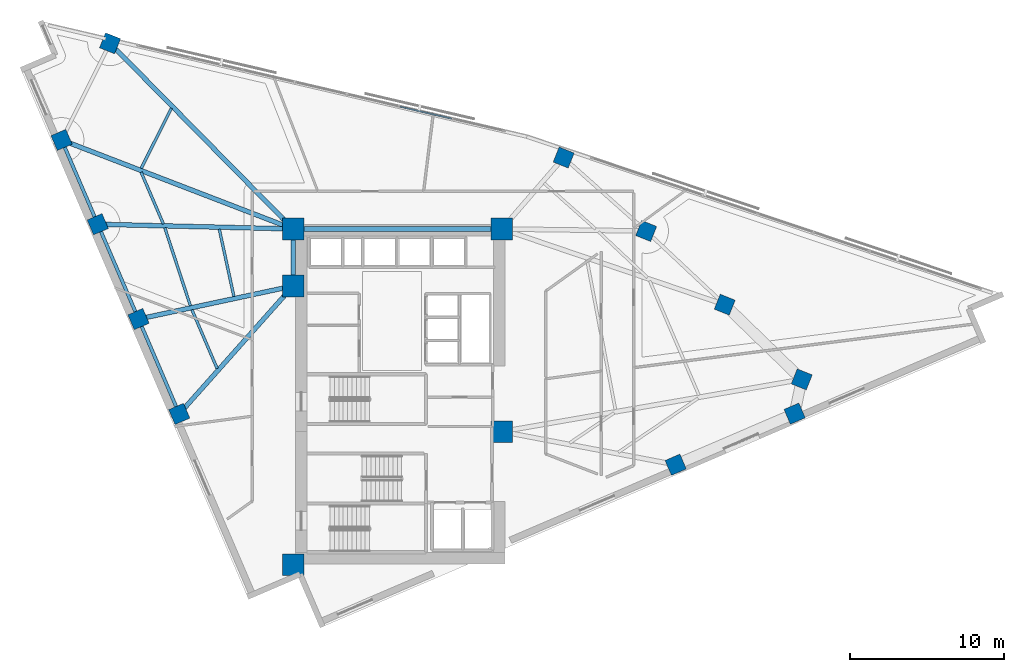
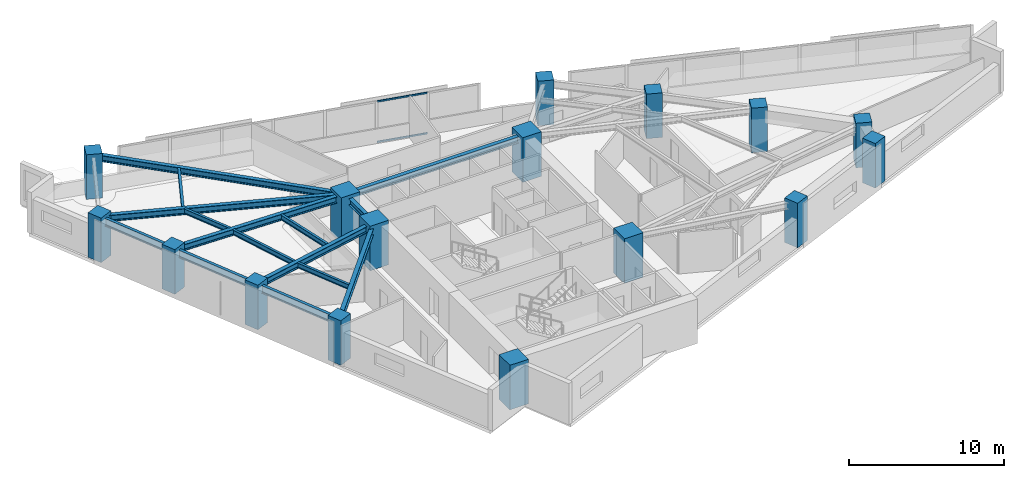
# One storey, part 1 of 14: 16 columns, 15 beams, 2 members, 1 element without a shape of its own.
"""IFC4 building model written with IfcOpenShell, lengths in metres."""

from ifc_helpers import new_model, si_unit, direction, frame, origin, origin_2d, place, context, subcontext, project, spatial, rectangle, hollow_rectangle, i_section, extrude, material, material_profile, profile_set, type_object, element, aggregate, save


model = new_model("IFC4")

# Units and contexts
model_context = context("Model", 3, precision=1e-05, world=origin(), true_north=direction((0.0, 1.0)))
body_context = subcontext(model_context, "Body", "Model", "MODEL_VIEW")
ifc_project = project(units=[si_unit("LENGTHUNIT", "METRE"), si_unit("AREAUNIT", "SQUARE_METRE"), si_unit("VOLUMEUNIT", "CUBIC_METRE"), si_unit("PLANEANGLEUNIT", "RADIAN"), si_unit("MASSUNIT", "GRAM", prefix="KILO")], contexts=[model_context])

# Site, building, storey
site_placement = place(None, origin())
site = spatial("IfcSite", under=ifc_project, at=site_placement, CompositionType="ELEMENT")
building_placement = place(site_placement, origin())
building = spatial("IfcBuilding", under=site, at=building_placement, Name="Narakoshi Arena Tower", CompositionType="ELEMENT")
storey_placement = place(building_placement, frame((0.0, 0.0, 189.659912109375)))
storey = spatial("IfcBuildingStorey", under=building, at=storey_placement, Name="L51", CompositionType="ELEMENT", Elevation=189.659912109375)

# Columns
ifc_material_1 = material(Name="Concrete C50/60", Category="concrete")
ifc_material_profile_1 = material_profile(ifc_material_1, rectangle(XDim=1.050048828125, YDim=1.050048828125, at=origin_2d()), Name="RC1050x1050")
ifc_profile_set_1 = profile_set([ifc_material_profile_1], Name="Concrete C50/60")
column_type_1 = type_object("IfcColumnType", Name="COL-RC1050", PredefinedType="COLUMN", material=ifc_profile_set_1)
for number, where, z_axis, x_axis, name in (
    (1, (96.830078125, 41.2001953125, 0.0), (0.0, 0.0, 1.0), (0.918791210149, 0.394743856384, 0.0), "L51 Tower Perimeter Column TC02"),
    (2, (104.54931640625, 44.5166015625, 0.0), (0.0, 0.0, 1.0), (0.918791210149, 0.394743856384, 0.0), "L51 Tower Perimeter Column TC03"),
    (3, (105.010009765625, 46.73876953125, 0.0), (0.0, 0.0, 1.0), (0.37055743751, 0.928809552872, 0.0), "L51 Tower Perimeter Column TC05"),
    (4, (100.012939453125, 51.58544921875, 0.0), (0.0, 0.0, 1.0), (0.37055743751, 0.928809552872, 0.0), "L51 Tower Perimeter Column TC06"),
    (5, (94.914794921875, 56.36669921875, 0.0), (0.0, 0.0, 1.0), (0.37055743751, 0.928809552872, 0.0), "L51 Tower Perimeter Column TC07"),
    (6, (89.5615234375, 61.134765625, 0.0), (0.0, 0.0, 1.0), (0.37055743751, 0.928809552872, 0.0), "L51 Tower Perimeter Column TC08"),
    (7, (60.12158203125, 68.55126953125, 0.0), (0.0, 0.0, 1.0), (0.37055743751, 0.928809552872, 0.0), "L51 Tower Perimeter Column TC10"),
    (8, (56.9755859375, 62.278564453125, 0.0), (0.0, 0.0, 1.0), (-0.394743856384, 0.918791210149, 0.0), "L51 Tower Perimeter Column TC13"),
    (9, (59.326171875, 56.807373046875, 0.0), (0.0, 0.0, 1.0), (-0.394743856384, 0.918791210149, 0.0), "L51 Tower Perimeter Column TC14"),
    (10, (61.970458984375, 50.652587890625, 0.0), (0.0, 0.0, 1.0), (-0.394743856384, 0.918791210149, 0.0), "L51 Tower Perimeter Column TC15"),
    (11, (64.61474609375, 44.49755859375, 0.0), (0.0, 0.0, 1.0), (-0.394743856384, 0.918791210149, 0.0), "L51 Tower Perimeter Column TC16"),
):
    element("IfcColumn", number, at=place(storey_placement, frame(where, z_axis=z_axis, x_axis=x_axis)), inside=storey, type_object=column_type_1, Name=name, PredefinedType="COLUMN", context=body_context, shape_type="SweptSolid", body=[
        extrude(rectangle(XDim=1.050048828125, YDim=1.050048828125, at=origin_2d()), origin(), (0.0, 0.0, 1.0), 3.52001953125),
    ])
ifc_material_2 = material(Name="Concrete C60/75", Category="concrete")
ifc_material_profile_2 = material_profile(ifc_material_2, rectangle(XDim=1.39990234375, YDim=1.39990234375, at=origin_2d()), Name="RC1400x1400")
ifc_profile_set_2 = profile_set([ifc_material_profile_2], Name="Concrete C60/75")
column_type_2 = type_object("IfcColumnType", Name="COL-RC1400", PredefinedType="COLUMN", material=ifc_profile_set_2)
for number, where, z_axis, x_axis, name in (
    (12, (72.0, 34.699951171875, 0.0), (0.0, 0.0, 1.0), (1.0, 0.0, 0.0), "L51 Core Structural Column CC1"),
    (13, (85.550048828125, 43.35009765625, 0.0), (0.0, 0.0, 1.0), (1.0, 0.0, 0.0), "L51 Core Structural Column CC3"),
    (14, (72.0, 52.800048828125, 0.0), (0.0, 0.0, 1.0), (1.0, 0.0, 0.0), "L51 Core Structural Column CC4"),
    (15, (72.0, 56.5, 0.0), (0.0, 0.0, 1.0), (1.0, 0.0, 0.0), "L51 Core Structural Column CC5"),
    (16, (85.550048828125, 56.5, 0.0), (0.0, 0.0, 1.0), (1.0, 0.0, 0.0), "L51 Core Structural Column CC6"),
):
    element("IfcColumn", number, at=place(storey_placement, frame(where, z_axis=z_axis, x_axis=x_axis)), inside=storey, type_object=column_type_2, Name=name, PredefinedType="COLUMN", context=body_context, shape_type="SweptSolid", body=[
        extrude(rectangle(XDim=1.39990234375, YDim=1.39990234375, at=origin_2d()), origin(), (0.0, 0.0, 1.0), 3.52001953125),
    ])

# Beams
ifc_material_3 = material(Name="Structural steel S355J2", Category="steel")
ifc_material_profile_3 = material_profile(ifc_material_3, i_section(OverallWidth=0.219970703125, OverallDepth=0.60009765625, WebThickness=0.011962890625, FlangeThickness=0.01904296875, FilletRadius=0.02392578125, at=origin_2d()), Name="IPE600")
ifc_profile_set_3 = profile_set([ifc_material_profile_3], Name="Structural steel S355J2")
beam_type_1 = type_object("IfcBeamType", Name="BM-EDGE-600", PredefinedType="BEAM", material=ifc_profile_set_3)
beam_1_placement = place(storey_placement, frame((56.9755859375, 62.278564453125, 2.960205078125), z_axis=(0.394740539552, -0.918792635165, 0.0), x_axis=(0.918792635165, 0.394740539552, 0.0)))
element("IfcBeam", 17, at=beam_1_placement, inside=storey, type_object=beam_type_1, Name="L51 Perimeter Edge Girder 08", PredefinedType="BEAM", context=body_context, shape_type="SweptSolid", body=[
    extrude(i_section(OverallWidth=0.219970703125, OverallDepth=0.60009765625, WebThickness=0.011962890625, FlangeThickness=0.01904296875, FilletRadius=0.02392578125, at=origin_2d()), origin(), (0.0, 0.0, 1.0), 5.954833984375),
])
beam_2_placement = place(storey_placement, frame((59.326171875, 56.807373046875, 2.960205078125), z_axis=(0.394741679056, -0.9187921456, 0.0), x_axis=(0.9187921456, 0.394741679056, 0.0)))
element("IfcBeam", 18, at=beam_2_placement, inside=storey, type_object=beam_type_1, Name="L51 Perimeter Edge Girder 09", PredefinedType="BEAM", context=body_context, shape_type="SweptSolid", body=[
    extrude(i_section(OverallWidth=0.219970703125, OverallDepth=0.60009765625, WebThickness=0.011962890625, FlangeThickness=0.01904296875, FilletRadius=0.02392578125, at=origin_2d()), origin(), (0.0, 0.0, 1.0), 6.69873046875),
])
beam_3_placement = place(storey_placement, frame((61.970458984375, 50.652587890625, 2.960205078125), z_axis=(0.394728461185, -0.918797824296, 0.0), x_axis=(0.918797824296, 0.394728461185, 0.0)))
element("IfcBeam", 19, at=beam_3_placement, inside=storey, type_object=beam_type_1, Name="L51 Perimeter Edge Girder 10", PredefinedType="BEAM", context=body_context, shape_type="SweptSolid", body=[
    extrude(i_section(OverallWidth=0.219970703125, OverallDepth=0.60009765625, WebThickness=0.011962890625, FlangeThickness=0.01904296875, FilletRadius=0.02392578125, at=origin_2d()), origin(), (0.0, 0.0, 1.0), 6.698974609375),
])
ifc_material_profile_4 = material_profile(ifc_material_3, i_section(OverallWidth=0.300048828125, OverallDepth=0.5, WebThickness=0.014404296875, FlangeThickness=0.028076171875, FilletRadius=0.027099609375, at=origin_2d()), Name="HE500B")
ifc_profile_set_4 = profile_set([ifc_material_profile_4], Name="Structural steel S355J2")
beam_type_2 = type_object("IfcBeamType", Name="BM-PRI-500", PredefinedType="BEAM", material=ifc_profile_set_4)
beam_4_placement = place(storey_placement, frame((72.0, 56.5, 3.010009765625), z_axis=(-0.701980816252, 0.71219585341, 0.0), x_axis=(-0.71219585341, -0.701980816252, 0.0)))
element("IfcBeam", 20, at=beam_4_placement, inside=storey, type_object=beam_type_2, Name="L51 Radial Primary Floor Girder 07", PredefinedType="BEAM", context=body_context, shape_type="SweptSolid", body=[
    extrude(i_section(OverallWidth=0.300048828125, OverallDepth=0.5, WebThickness=0.014404296875, FlangeThickness=0.028076171875, FilletRadius=0.027099609375, at=origin_2d()), origin(), (0.0, 0.0, 1.0), 16.92138671875),
])
beam_5_placement = place(storey_placement, frame((72.0, 56.5, 3.010009765625), z_axis=(-0.933346778866, 0.35897603037, 0.0), x_axis=(-0.35897603037, -0.933346778866, 0.0)))
element("IfcBeam", 21, at=beam_5_placement, inside=storey, type_object=beam_type_2, Name="L51 Radial Primary Floor Girder 08", PredefinedType="BEAM", context=body_context, shape_type="SweptSolid", body=[
    extrude(i_section(OverallWidth=0.300048828125, OverallDepth=0.5, WebThickness=0.014404296875, FlangeThickness=0.028076171875, FilletRadius=0.027099609375, at=origin_2d()), origin(), (0.0, 0.0, 1.0), 16.097412109375),
])
beam_6_placement = place(storey_placement, frame((72.0, 56.5, 3.010009765625), z_axis=(-0.999706035824, 0.024245451901, 0.0), x_axis=(-0.024245451901, -0.999706035824, 0.0)))
element("IfcBeam", 22, at=beam_6_placement, inside=storey, type_object=beam_type_2, Name="L51 Radial Primary Floor Girder 09", PredefinedType="BEAM", context=body_context, shape_type="SweptSolid", body=[
    extrude(i_section(OverallWidth=0.300048828125, OverallDepth=0.5, WebThickness=0.014404296875, FlangeThickness=0.028076171875, FilletRadius=0.027099609375, at=origin_2d()), origin(), (0.0, 0.0, 1.0), 12.677490234375),
])
beam_7_placement = place(storey_placement, frame((72.0, 52.800048828125, 3.010009765625), z_axis=(-0.977836885657, -0.209368156721, 0.0), x_axis=(0.209368156721, -0.977836885657, 0.0)))
element("IfcBeam", 23, at=beam_7_placement, inside=storey, type_object=beam_type_2, Name="L51 Radial Primary Floor Girder 10", PredefinedType="BEAM", context=body_context, shape_type="SweptSolid", body=[
    extrude(i_section(OverallWidth=0.300048828125, OverallDepth=0.5, WebThickness=0.014404296875, FlangeThickness=0.028076171875, FilletRadius=0.027099609375, at=origin_2d()), origin(), (0.0, 0.0, 1.0), 10.2568359375),
])
beam_8_placement = place(storey_placement, frame((72.0, 52.800048828125, 3.010009765625), z_axis=(-0.664628360587, -0.747174104412, 0.0), x_axis=(0.747174104412, -0.664628360587, 0.0)))
element("IfcBeam", 24, at=beam_8_placement, inside=storey, type_object=beam_type_2, Name="L51 Radial Primary Floor Girder 11", PredefinedType="BEAM", context=body_context, shape_type="SweptSolid", body=[
    extrude(i_section(OverallWidth=0.300048828125, OverallDepth=0.5, WebThickness=0.014404296875, FlangeThickness=0.028076171875, FilletRadius=0.027099609375, at=origin_2d()), origin(), (0.0, 0.0, 1.0), 11.11181640625),
])
beam_9_placement = place(storey_placement, frame((72.0, 52.800048828125, 3.010009765625), z_axis=(0.0, 1.0, 0.0), x_axis=(-1.0, 0.0, 0.0)))
element("IfcBeam", 25, at=beam_9_placement, inside=storey, type_object=beam_type_2, Name="L51 Core Perimeter Frame Beam CC4-CC5", PredefinedType="BEAM", context=body_context, shape_type="SweptSolid", body=[
    extrude(i_section(OverallWidth=0.300048828125, OverallDepth=0.5, WebThickness=0.014404296875, FlangeThickness=0.028076171875, FilletRadius=0.027099609375, at=origin_2d()), origin(), (0.0, 0.0, 1.0), 3.699951171875),
])
beam_10_placement = place(storey_placement, frame((72.0, 56.5, 3.010009765625), z_axis=(1.0, 0.0, 0.0), x_axis=(0.0, 1.0, 0.0)))
element("IfcBeam", 26, at=beam_10_placement, inside=storey, type_object=beam_type_2, Name="L51 Core Perimeter Frame Beam CC5-CC6", PredefinedType="BEAM", context=body_context, shape_type="SweptSolid", body=[
    extrude(i_section(OverallWidth=0.300048828125, OverallDepth=0.5, WebThickness=0.014404296875, FlangeThickness=0.028076171875, FilletRadius=0.027099609375, at=origin_2d()), origin(), (0.0, 0.0, 1.0), 13.550048828125),
])
ifc_material_profile_5 = material_profile(ifc_material_3, i_section(OverallWidth=0.179931640625, OverallDepth=0.39990234375, WebThickness=0.008544921875, FlangeThickness=0.013427734375, FilletRadius=0.02099609375, at=origin_2d()), Name="IPE400")
ifc_profile_set_5 = profile_set([ifc_material_profile_5], Name="Structural steel S355J2")
beam_type_3 = type_object("IfcBeamType", Name="BM-SEC-400", PredefinedType="JOIST", material=ifc_profile_set_5)
beam_11_placement = place(storey_placement, frame((64.099853515625, 64.333251953125, 3.06005859375), z_axis=(-0.448355109233, -0.893855523015, 0.0), x_axis=(0.893855523015, -0.448355109233, 0.0)))
element("IfcBeam", 27, at=beam_11_placement, inside=storey, type_object=beam_type_3, Name="L51 Composite Secondary Floor Joist 07", PredefinedType="JOIST", context=body_context, shape_type="SweptSolid", body=[
    extrude(i_section(OverallWidth=0.179931640625, OverallDepth=0.39990234375, WebThickness=0.008544921875, FlangeThickness=0.013427734375, FilletRadius=0.02099609375, at=origin_2d()), origin(), (0.0, 0.0, 1.0), 4.361572265625),
])
beam_12_placement = place(storey_placement, frame((62.13720703125, 60.189697265625, 3.06005859375), z_axis=(0.394700077983, -0.918810017599, 0.0), x_axis=(0.918810017599, 0.394700077983, 0.0)))
element("IfcBeam", 28, at=beam_12_placement, inside=storey, type_object=beam_type_3, Name="L51 Composite Secondary Floor Joist 08", PredefinedType="JOIST", context=body_context, shape_type="SweptSolid", body=[
    extrude(i_section(OverallWidth=0.179931640625, OverallDepth=0.39990234375, WebThickness=0.008544921875, FlangeThickness=0.013427734375, FilletRadius=0.02099609375, at=origin_2d()), origin(), (0.0, 0.0, 1.0), 3.659912109375),
])
beam_13_placement = place(storey_placement, frame((67.21240234375, 56.48486328125, 3.06005859375), z_axis=(0.212001112403, -0.977269424642, 0.0), x_axis=(0.977269424642, 0.212001112403, 0.0)))
element("IfcBeam", 29, at=beam_13_placement, inside=storey, type_object=beam_type_3, Name="L51 Composite Secondary Floor Joist 09", PredefinedType="JOIST", context=body_context, shape_type="SweptSolid", body=[
    extrude(i_section(OverallWidth=0.179931640625, OverallDepth=0.39990234375, WebThickness=0.008544921875, FlangeThickness=0.013427734375, FilletRadius=0.02099609375, at=origin_2d()), origin(), (0.0, 0.0, 1.0), 4.470458984375),
])
beam_14_placement = place(storey_placement, frame((63.67724609375, 56.57470703125, 3.06005859375), z_axis=(0.311702562929, -0.950179726296, 0.0), x_axis=(0.950179726296, 0.311702562929, 0.0)))
element("IfcBeam", 30, at=beam_14_placement, inside=storey, type_object=beam_type_3, Name="L51 Composite Secondary Floor Joist 10", PredefinedType="JOIST", context=body_context, shape_type="SweptSolid", body=[
    extrude(i_section(OverallWidth=0.179931640625, OverallDepth=0.39990234375, WebThickness=0.008544921875, FlangeThickness=0.013427734375, FilletRadius=0.02099609375, at=origin_2d()), origin(), (0.0, 0.0, 1.0), 5.329345703125),
])
beam_15_placement = place(storey_placement, frame((65.433837890625, 51.258544921875, 3.06005859375), z_axis=(0.394735391015, -0.918794847113, 0.0), x_axis=(0.918794847113, 0.394735391015, 0.0)))
element("IfcBeam", 31, at=beam_15_placement, inside=storey, type_object=beam_type_3, Name="L51 Composite Secondary Floor Joist 11", PredefinedType="JOIST", context=body_context, shape_type="SweptSolid", body=[
    extrude(i_section(OverallWidth=0.179931640625, OverallDepth=0.39990234375, WebThickness=0.008544921875, FlangeThickness=0.013427734375, FilletRadius=0.02099609375, at=origin_2d()), origin(), (0.0, 0.0, 1.0), 4.1513671875),
])

# Curtain wall, members
ifc_material_4 = material(Name="Anodised bronze aluminium 6063-T6", Category="aluminium")
curtain_wall_type = type_object("IfcCurtainWallType", Name="CW-HYP-MID", PredefinedType="NOTDEFINED", material=ifc_material_4)
curtain_wall_placement = place(storey_placement, origin())
curtain_wall = element("IfcCurtainWall", 32, at=curtain_wall_placement, inside=storey, type_object=curtain_wall_type, Name="L51 Folded Hypotenuse Curtain Wall 2-1", PredefinedType="NOTDEFINED")
ifc_material_profile_6 = material_profile(ifc_material_4, hollow_rectangle(XDim=0.06494140625, YDim=0.1298828125, WallThickness=0.00390625, OuterFilletRadius=0.0048828125, at=origin_2d()), Name="TRN130x65x4")
ifc_profile_set_6 = profile_set([ifc_material_profile_6], Name="Anodised bronze aluminium 6063-T6")
member_type = type_object("IfcMemberType", Name="MEM-TRN-130", PredefinedType="USERDEFINED", material=ifc_profile_set_6)
member_1_placement = place(storey_placement, frame((82.27587890625, 63.6611328125, 0.032470703125), z_axis=(-0.973960713384, 0.226716847155, 0.0), x_axis=(-0.226716847155, -0.973960713384, 0.0)))
member_1 = element("IfcMember", 33, at=member_1_placement, type_object=member_type, Name="CW-02 transom 2.1", ObjectType="TRANSOM", PredefinedType="USERDEFINED", context=body_context, shape_type="SweptSolid", body=[
    extrude(hollow_rectangle(XDim=0.06494140625, YDim=0.1298828125, WallThickness=0.00390625, OuterFilletRadius=0.0048828125, at=origin_2d()), origin(), (0.0, 0.0, 1.0), 3.416748046875),
])
member_2_placement = place(storey_placement, frame((82.27587890625, 63.6611328125, 3.2275390625), z_axis=(-0.973960713384, 0.226716847155, 0.0), x_axis=(-0.226716847155, -0.973960713384, 0.0)))
member_2 = element("IfcMember", 34, at=member_2_placement, type_object=member_type, Name="CW-02 transom 2.2", ObjectType="TRANSOM", PredefinedType="USERDEFINED", context=body_context, shape_type="SweptSolid", body=[
    extrude(hollow_rectangle(XDim=0.06494140625, YDim=0.1298828125, WallThickness=0.00390625, OuterFilletRadius=0.0048828125, at=origin_2d()), origin(), (0.0, 0.0, 1.0), 3.416748046875),
])
aggregate(curtain_wall, [member_1, member_2])

save(model, "model.ifc")
